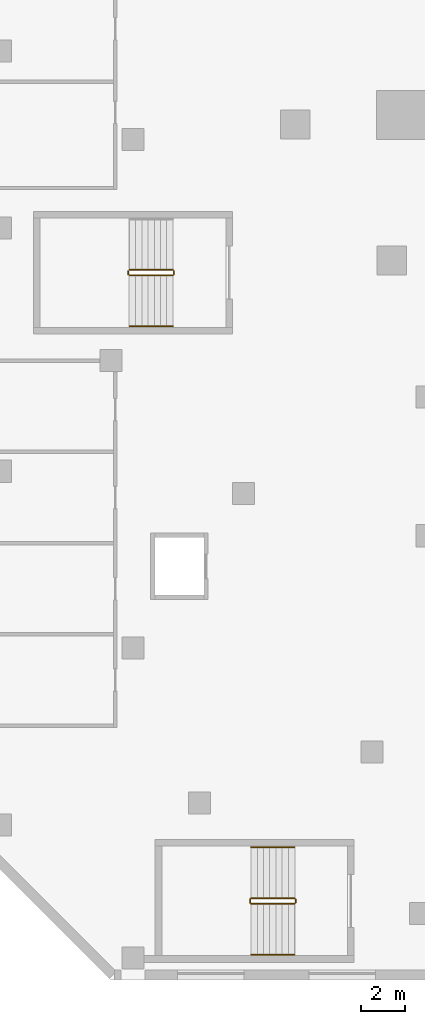
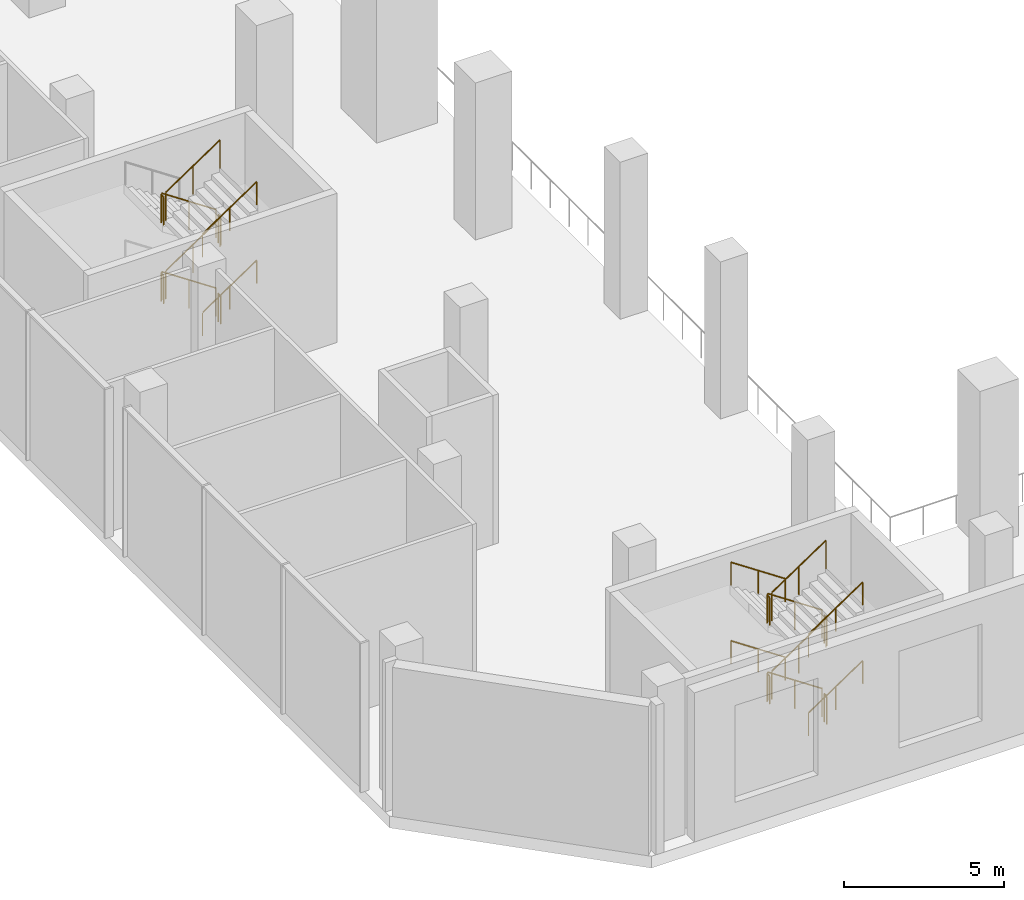
# One storey, part 22 of 30: 22 railings.
"""IFC4 building model written with IfcOpenShell, lengths in metres."""

from ifc_helpers import new_model, si_unit, direction, frame, origin, origin_2d, place, context, subcontext, project, spatial, circle, extrude, material, type_object, element, save


model = new_model("IFC4")

# Units and contexts
model_context = context("Model", 3, precision=1e-05, world=origin(), true_north=direction((0.0, 1.0)))
body_context = subcontext(model_context, "Body", "Model", "MODEL_VIEW")
ifc_project = project(units=[si_unit("LENGTHUNIT", "METRE"), si_unit("AREAUNIT", "SQUARE_METRE"), si_unit("VOLUMEUNIT", "CUBIC_METRE"), si_unit("PLANEANGLEUNIT", "RADIAN"), si_unit("MASSUNIT", "GRAM", prefix="KILO")], contexts=[model_context])

# Site, building, storey
site_placement = place(None, origin())
site = spatial("IfcSite", under=ifc_project, at=site_placement, CompositionType="ELEMENT")
building_placement = place(site_placement, origin())
building = spatial("IfcBuilding", under=site, at=building_placement, Name="Wharfspan Tower", CompositionType="ELEMENT")
storey_placement = place(building_placement, frame((0.0, 0.0, 21.5)))
storey = spatial("IfcBuildingStorey", under=building, at=storey_placement, Name="L03", CompositionType="ELEMENT", Elevation=21.5)

# Railings
ifc_material = material(Name="Steel S355J2", Category="steel")
railing_type_1 = type_object("IfcRailingType", Name="Podium guard 1100", PredefinedType="GUARDRAIL", material=ifc_material)
railing_1_placement = place(storey_placement, frame((2.300049, -28.300049, 0.1875)))
element("IfcRailing", 1, at=railing_1_placement, inside=storey, type_object=railing_type_1, Name="L03 AS1 stair guard 1", PredefinedType="GUARDRAIL", context=body_context, shape_type="SweptSolid", body=[
    extrude(circle(Radius=0.023926, at=origin_2d()), frame((0.0, 0.0, 1.076172), z_axis=(-0.830902, 0.0, 0.556419), x_axis=(0.0, -1.0, 0.0)), (0.0, 0.0, 1.0), 2.358887),
    extrude(circle(Radius=0.020996, at=origin_2d()), origin(), (0.0, 0.0, 1.0), 1.052002),
    extrude(circle(Radius=0.020996, at=origin_2d()), frame((-0.97998, 0.0, 0.65625)), (0.0, 0.0, 1.0), 1.052002),
    extrude(circle(Radius=0.020996, at=origin_2d()), frame((-1.959961, 0.0, 1.3125)), (0.0, 0.0, 1.0), 1.052002),
])
railing_2_placement = place(storey_placement, frame((0.290039, -28.350098, 1.5)))
element("IfcRailing", 2, at=railing_2_placement, inside=storey, type_object=railing_type_1, Name="L03 AS1 stair guard 2", PredefinedType="GUARDRAIL", context=body_context, shape_type="SweptSolid", body=[
    extrude(circle(Radius=0.023926, at=origin_2d()), frame((0.0, 0.0, 1.076172), z_axis=(0.0, -1.0, 0.0), x_axis=(1.0, 0.0, 0.0)), (0.0, 0.0, 1.0), 0.149902),
    extrude(circle(Radius=0.020996, at=origin_2d()), origin(), (0.0, 0.0, 1.0), 1.052002),
    extrude(circle(Radius=0.020996, at=origin_2d()), frame((0.0, -0.149902, 0.0)), (0.0, 0.0, 1.0), 1.052002),
])
railing_3_placement = place(storey_placement, frame((0.340088, -28.550049, 1.6875)))
element("IfcRailing", 3, at=railing_3_placement, inside=storey, type_object=railing_type_1, Name="L03 AS1 stair guard 3", PredefinedType="GUARDRAIL", context=body_context, shape_type="SweptSolid", body=[
    extrude(circle(Radius=0.023926, at=origin_2d()), frame((0.0, 0.0, 1.076172), z_axis=(0.830902, 0.0, 0.556419), x_axis=(0.0, 1.0, 0.0)), (0.0, 0.0, 1.0), 2.358887),
    extrude(circle(Radius=0.020996, at=origin_2d()), origin(), (0.0, 0.0, 1.0), 1.052002),
    extrude(circle(Radius=0.020996, at=origin_2d()), frame((0.97998, 0.0, 0.65625)), (0.0, 0.0, 1.0), 1.052002),
    extrude(circle(Radius=0.020996, at=origin_2d()), frame((1.959961, 0.0, 1.3125)), (0.0, 0.0, 1.0), 1.052002),
])
railing_4_placement = place(storey_placement, frame((2.350098, -28.350098, 3.0)))
element("IfcRailing", 4, at=railing_4_placement, inside=storey, type_object=railing_type_1, Name="L03 AS1 stair guard 4", PredefinedType="GUARDRAIL", context=body_context, shape_type="SweptSolid", body=[
    extrude(circle(Radius=0.023926, at=origin_2d()), frame((0.0, 0.0, 1.076172), z_axis=(0.0, -1.0, 0.0), x_axis=(1.0, 0.0, 0.0)), (0.0, 0.0, 1.0), 0.149902),
    extrude(circle(Radius=0.020996, at=origin_2d()), origin(), (0.0, 0.0, 1.0), 1.052002),
    extrude(circle(Radius=0.020996, at=origin_2d()), frame((0.0, -0.149902, 0.0)), (0.0, 0.0, 1.0), 1.052002),
])
railing_5_placement = place(storey_placement, frame((2.300049, -28.300049, 3.1875)))
element("IfcRailing", 5, at=railing_5_placement, inside=storey, type_object=railing_type_1, Name="L03 AS1 stair guard 5", PredefinedType="GUARDRAIL", context=body_context, shape_type="SweptSolid", body=[
    extrude(circle(Radius=0.023926, at=origin_2d()), frame((0.0, 0.0, 1.076172), z_axis=(-0.830902, 0.0, 0.556419), x_axis=(0.0, -1.0, 0.0)), (0.0, 0.0, 1.0), 2.358887),
    extrude(circle(Radius=0.020996, at=origin_2d()), origin(), (0.0, 0.0, 1.0), 1.052002),
    extrude(circle(Radius=0.020996, at=origin_2d()), frame((-0.97998, 0.0, 0.65625)), (0.0, 0.0, 1.0), 1.052002),
    extrude(circle(Radius=0.020996, at=origin_2d()), frame((-1.959961, 0.0, 1.3125)), (0.0, 0.0, 1.0), 1.052002),
])
railing_6_placement = place(storey_placement, frame((0.290039, -28.350098, 4.5)))
element("IfcRailing", 6, at=railing_6_placement, inside=storey, type_object=railing_type_1, Name="L03 AS1 stair guard 6", PredefinedType="GUARDRAIL", context=body_context, shape_type="SweptSolid", body=[
    extrude(circle(Radius=0.023926, at=origin_2d()), frame((0.0, 0.0, 1.076172), z_axis=(0.0, -1.0, 0.0), x_axis=(1.0, 0.0, 0.0)), (0.0, 0.0, 1.0), 0.149902),
    extrude(circle(Radius=0.020996, at=origin_2d()), origin(), (0.0, 0.0, 1.0), 1.052002),
    extrude(circle(Radius=0.020996, at=origin_2d()), frame((0.0, -0.149902, 0.0)), (0.0, 0.0, 1.0), 1.052002),
])
railing_7_placement = place(storey_placement, frame((0.340088, -28.550049, 4.6875)))
element("IfcRailing", 7, at=railing_7_placement, inside=storey, type_object=railing_type_1, Name="L03 AS1 stair guard 7", PredefinedType="GUARDRAIL", context=body_context, shape_type="SweptSolid", body=[
    extrude(circle(Radius=0.023926, at=origin_2d()), frame((0.0, 0.0, 1.076172), z_axis=(0.830902, 0.0, 0.556419), x_axis=(0.0, 1.0, 0.0)), (0.0, 0.0, 1.0), 2.358887),
    extrude(circle(Radius=0.020996, at=origin_2d()), origin(), (0.0, 0.0, 1.0), 1.052002),
    extrude(circle(Radius=0.020996, at=origin_2d()), frame((0.97998, 0.0, 0.65625)), (0.0, 0.0, 1.0), 1.052002),
    extrude(circle(Radius=0.020996, at=origin_2d()), frame((1.959961, 0.0, 1.3125)), (0.0, 0.0, 1.0), 1.052002),
])
railing_8_placement = place(storey_placement, frame((2.350098, -28.350098, 0.0)))
element("IfcRailing", 8, at=railing_8_placement, inside=storey, type_object=railing_type_1, Name="L03 AS1 stair guard 8", PredefinedType="GUARDRAIL", context=body_context, shape_type="SweptSolid", body=[
    extrude(circle(Radius=0.023926, at=origin_2d()), frame((0.0, 0.0, 1.076172), z_axis=(0.0, -1.0, 0.0), x_axis=(1.0, 0.0, 0.0)), (0.0, 0.0, 1.0), 0.149902),
    extrude(circle(Radius=0.020996, at=origin_2d()), origin(), (0.0, 0.0, 1.0), 1.052002),
    extrude(circle(Radius=0.020996, at=origin_2d()), frame((0.0, -0.149902, 0.0)), (0.0, 0.0, 1.0), 1.052002),
])
railing_9_placement = place(storey_placement, frame((-3.199951, 0.100098, 0.1875)))
element("IfcRailing", 9, at=railing_9_placement, inside=storey, type_object=railing_type_1, Name="L03 AS7 stair guard 1", PredefinedType="GUARDRAIL", context=body_context, shape_type="SweptSolid", body=[
    extrude(circle(Radius=0.023926, at=origin_2d()), frame((0.0, 0.0, 1.076172), z_axis=(-0.830902, 0.0, 0.556419), x_axis=(0.0, -1.0, 0.0)), (0.0, 0.0, 1.0), 2.358887),
    extrude(circle(Radius=0.020996, at=origin_2d()), origin(), (0.0, 0.0, 1.0), 1.052002),
    extrude(circle(Radius=0.020996, at=origin_2d()), frame((-0.97998, 0.0, 0.65625)), (0.0, 0.0, 1.0), 1.052002),
    extrude(circle(Radius=0.020996, at=origin_2d()), frame((-1.959961, 0.0, 1.3125)), (0.0, 0.0, 1.0), 1.052002),
])
railing_10_placement = place(storey_placement, frame((-5.209961, 0.050049, 1.5)))
element("IfcRailing", 10, at=railing_10_placement, inside=storey, type_object=railing_type_1, Name="L03 AS7 stair guard 2", PredefinedType="GUARDRAIL", context=body_context, shape_type="SweptSolid", body=[
    extrude(circle(Radius=0.023926, at=origin_2d()), frame((0.0, 0.0, 1.076172), z_axis=(0.0, -1.0, 0.0), x_axis=(1.0, 0.0, 0.0)), (0.0, 0.0, 1.0), 0.150146),
    extrude(circle(Radius=0.020996, at=origin_2d()), origin(), (0.0, 0.0, 1.0), 1.052002),
    extrude(circle(Radius=0.020996, at=origin_2d()), frame((0.0, -0.150146, 0.0)), (0.0, 0.0, 1.0), 1.052002),
])
railing_11_placement = place(storey_placement, frame((-5.159912, -0.149902, 1.6875)))
element("IfcRailing", 11, at=railing_11_placement, inside=storey, type_object=railing_type_1, Name="L03 AS7 stair guard 3", PredefinedType="GUARDRAIL", context=body_context, shape_type="SweptSolid", body=[
    extrude(circle(Radius=0.023926, at=origin_2d()), frame((0.0, 0.0, 1.076172), z_axis=(0.830902, 0.0, 0.556419), x_axis=(0.0, 1.0, 0.0)), (0.0, 0.0, 1.0), 2.358887),
    extrude(circle(Radius=0.020996, at=origin_2d()), origin(), (0.0, 0.0, 1.0), 1.052002),
    extrude(circle(Radius=0.020996, at=origin_2d()), frame((0.97998, 0.0, 0.65625)), (0.0, 0.0, 1.0), 1.052002),
    extrude(circle(Radius=0.020996, at=origin_2d()), frame((1.959961, 0.0, 1.3125)), (0.0, 0.0, 1.0), 1.052002),
])
railing_12_placement = place(storey_placement, frame((-3.149902, 0.050049, 3.0)))
element("IfcRailing", 12, at=railing_12_placement, inside=storey, type_object=railing_type_1, Name="L03 AS7 stair guard 4", PredefinedType="GUARDRAIL", context=body_context, shape_type="SweptSolid", body=[
    extrude(circle(Radius=0.023926, at=origin_2d()), frame((0.0, 0.0, 1.076172), z_axis=(0.0, -1.0, 0.0), x_axis=(1.0, 0.0, 0.0)), (0.0, 0.0, 1.0), 0.150146),
    extrude(circle(Radius=0.020996, at=origin_2d()), origin(), (0.0, 0.0, 1.0), 1.052002),
    extrude(circle(Radius=0.020996, at=origin_2d()), frame((0.0, -0.150146, 0.0)), (0.0, 0.0, 1.0), 1.052002),
])
railing_13_placement = place(storey_placement, frame((-3.199951, 0.100098, 3.1875)))
element("IfcRailing", 13, at=railing_13_placement, inside=storey, type_object=railing_type_1, Name="L03 AS7 stair guard 5", PredefinedType="GUARDRAIL", context=body_context, shape_type="SweptSolid", body=[
    extrude(circle(Radius=0.023926, at=origin_2d()), frame((0.0, 0.0, 1.076172), z_axis=(-0.830902, 0.0, 0.556419), x_axis=(0.0, -1.0, 0.0)), (0.0, 0.0, 1.0), 2.358887),
    extrude(circle(Radius=0.020996, at=origin_2d()), origin(), (0.0, 0.0, 1.0), 1.052002),
    extrude(circle(Radius=0.020996, at=origin_2d()), frame((-0.97998, 0.0, 0.65625)), (0.0, 0.0, 1.0), 1.052002),
    extrude(circle(Radius=0.020996, at=origin_2d()), frame((-1.959961, 0.0, 1.3125)), (0.0, 0.0, 1.0), 1.052002),
])
railing_14_placement = place(storey_placement, frame((-5.209961, 0.050049, 4.5)))
element("IfcRailing", 14, at=railing_14_placement, inside=storey, type_object=railing_type_1, Name="L03 AS7 stair guard 6", PredefinedType="GUARDRAIL", context=body_context, shape_type="SweptSolid", body=[
    extrude(circle(Radius=0.023926, at=origin_2d()), frame((0.0, 0.0, 1.076172), z_axis=(0.0, -1.0, 0.0), x_axis=(1.0, 0.0, 0.0)), (0.0, 0.0, 1.0), 0.150146),
    extrude(circle(Radius=0.020996, at=origin_2d()), origin(), (0.0, 0.0, 1.0), 1.052002),
    extrude(circle(Radius=0.020996, at=origin_2d()), frame((0.0, -0.150146, 0.0)), (0.0, 0.0, 1.0), 1.052002),
])
railing_15_placement = place(storey_placement, frame((-5.159912, -0.149902, 4.6875)))
element("IfcRailing", 15, at=railing_15_placement, inside=storey, type_object=railing_type_1, Name="L03 AS7 stair guard 7", PredefinedType="GUARDRAIL", context=body_context, shape_type="SweptSolid", body=[
    extrude(circle(Radius=0.023926, at=origin_2d()), frame((0.0, 0.0, 1.076172), z_axis=(0.830902, 0.0, 0.556419), x_axis=(0.0, 1.0, 0.0)), (0.0, 0.0, 1.0), 2.358887),
    extrude(circle(Radius=0.020996, at=origin_2d()), origin(), (0.0, 0.0, 1.0), 1.052002),
    extrude(circle(Radius=0.020996, at=origin_2d()), frame((0.97998, 0.0, 0.65625)), (0.0, 0.0, 1.0), 1.052002),
    extrude(circle(Radius=0.020996, at=origin_2d()), frame((1.959961, 0.0, 1.3125)), (0.0, 0.0, 1.0), 1.052002),
])
railing_16_placement = place(storey_placement, frame((-3.149902, 0.050049, 0.0)))
element("IfcRailing", 16, at=railing_16_placement, inside=storey, type_object=railing_type_1, Name="L03 AS7 stair guard 8", PredefinedType="GUARDRAIL", context=body_context, shape_type="SweptSolid", body=[
    extrude(circle(Radius=0.023926, at=origin_2d()), frame((0.0, 0.0, 1.076172), z_axis=(0.0, -1.0, 0.0), x_axis=(1.0, 0.0, 0.0)), (0.0, 0.0, 1.0), 0.150146),
    extrude(circle(Radius=0.020996, at=origin_2d()), origin(), (0.0, 0.0, 1.0), 1.052002),
    extrude(circle(Radius=0.020996, at=origin_2d()), frame((0.0, -0.150146, 0.0)), (0.0, 0.0, 1.0), 1.052002),
])
railing_type_2 = type_object("IfcRailingType", Name="Podium stair handrail 900", PredefinedType="HANDRAIL", material=ifc_material)
railing_17_placement = place(storey_placement, frame((2.300049, -26.0, 0.1875)))
element("IfcRailing", 17, at=railing_17_placement, inside=storey, type_object=railing_type_2, Name="L03 AS1 stair handrail 1", PredefinedType="HANDRAIL", context=body_context, shape_type="SweptSolid", body=[
    extrude(circle(Radius=0.023926, at=origin_2d()), frame((0.0, 0.0, 0.875977), z_axis=(-0.830902, 0.0, 0.556419), x_axis=(0.0, -1.0, 0.0)), (0.0, 0.0, 1.0), 2.358887),
    extrude(circle(Radius=0.020996, at=origin_2d()), origin(), (0.0, 0.0, 1.0), 0.851807),
    extrude(circle(Radius=0.020996, at=origin_2d()), frame((-0.97998, 0.0, 0.65625)), (0.0, 0.0, 1.0), 0.851807),
    extrude(circle(Radius=0.020996, at=origin_2d()), frame((-1.959961, 0.0, 1.3125)), (0.0, 0.0, 1.0), 0.851807),
])
railing_18_placement = place(storey_placement, frame((0.340088, -30.850098, 1.6875)))
element("IfcRailing", 18, at=railing_18_placement, inside=storey, type_object=railing_type_2, Name="L03 AS1 stair handrail 2", PredefinedType="HANDRAIL", context=body_context, shape_type="SweptSolid", body=[
    extrude(circle(Radius=0.023926, at=origin_2d()), frame((0.0, 0.0, 0.875977), z_axis=(0.830902, 0.0, 0.556419), x_axis=(0.0, 1.0, 0.0)), (0.0, 0.0, 1.0), 2.358887),
    extrude(circle(Radius=0.020996, at=origin_2d()), origin(), (0.0, 0.0, 1.0), 0.851807),
    extrude(circle(Radius=0.020996, at=origin_2d()), frame((0.97998, 0.0, 0.65625)), (0.0, 0.0, 1.0), 0.851807),
    extrude(circle(Radius=0.020996, at=origin_2d()), frame((1.959961, 0.0, 1.3125)), (0.0, 0.0, 1.0), 0.851807),
])
railing_19_placement = place(storey_placement, frame((2.300049, -26.0, 3.1875)))
element("IfcRailing", 19, at=railing_19_placement, inside=storey, type_object=railing_type_2, Name="L03 AS1 stair handrail 3", PredefinedType="HANDRAIL", context=body_context, shape_type="SweptSolid", body=[
    extrude(circle(Radius=0.023926, at=origin_2d()), frame((0.0, 0.0, 0.875977), z_axis=(-0.830902, 0.0, 0.556419), x_axis=(0.0, -1.0, 0.0)), (0.0, 0.0, 1.0), 2.358887),
    extrude(circle(Radius=0.020996, at=origin_2d()), origin(), (0.0, 0.0, 1.0), 0.851807),
    extrude(circle(Radius=0.020996, at=origin_2d()), frame((-0.97998, 0.0, 0.65625)), (0.0, 0.0, 1.0), 0.851807),
    extrude(circle(Radius=0.020996, at=origin_2d()), frame((-1.959961, 0.0, 1.3125)), (0.0, 0.0, 1.0), 0.851807),
])
for number, where, name in (
    (20, (0.340088, -30.850098, 4.6875), "L03 AS1 stair handrail 4"),
    (21, (-5.159912, -2.449951, 1.6875), "L03 AS7 stair handrail 2"),
    (22, (-5.159912, -2.449951, 4.6875), "L03 AS7 stair handrail 4"),
):
    element("IfcRailing", number, at=place(storey_placement, frame(where)), inside=storey, type_object=railing_type_2, Name=name, PredefinedType="HANDRAIL", context=body_context, shape_type="SweptSolid", body=[
        extrude(circle(Radius=0.023926, at=origin_2d()), frame((0.0, 0.0, 0.875977), z_axis=(0.830902, 0.0, 0.556419), x_axis=(0.0, 1.0, 0.0)), (0.0, 0.0, 1.0), 2.358887),
        extrude(circle(Radius=0.020996, at=origin_2d()), origin(), (0.0, 0.0, 1.0), 0.851807),
        extrude(circle(Radius=0.020996, at=origin_2d()), frame((0.97998, 0.0, 0.65625)), (0.0, 0.0, 1.0), 0.851807),
        extrude(circle(Radius=0.020996, at=origin_2d()), frame((1.959961, 0.0, 1.3125)), (0.0, 0.0, 1.0), 0.851807),
    ])

save(model, "model.ifc")
